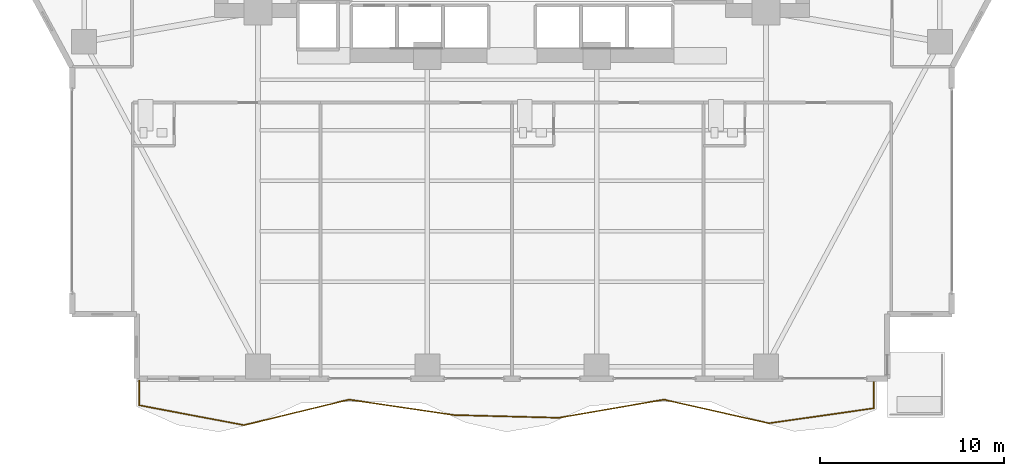
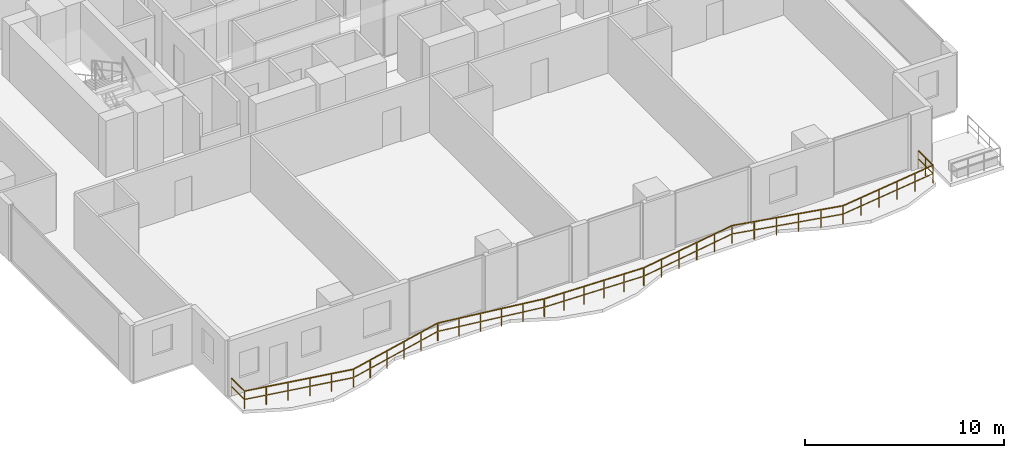
# One storey, part 26 of 30: 1 railing.
"""IFC4 building model written with IfcOpenShell, lengths in metres."""

from ifc_helpers import new_model, si_unit, direction, frame, origin, origin_2d, place, context, subcontext, project, spatial, rectangle, extrude, material, type_object, element, save


model = new_model("IFC4")

# Units and contexts
model_context = context("Model", 3, precision=1e-05, world=origin(), true_north=direction((0.0, 1.0)))
body_context = subcontext(model_context, "Body", "Model", "MODEL_VIEW")
ifc_project = project(units=[si_unit("LENGTHUNIT", "METRE"), si_unit("AREAUNIT", "SQUARE_METRE"), si_unit("VOLUMEUNIT", "CUBIC_METRE"), si_unit("PLANEANGLEUNIT", "RADIAN"), si_unit("MASSUNIT", "GRAM", prefix="KILO")], contexts=[model_context])

# Site, building, storey
site_placement = place(None, origin())
site = spatial("IfcSite", under=ifc_project, at=site_placement, CompositionType="ELEMENT")
building_placement = place(site_placement, origin())
building = spatial("IfcBuilding", under=site, at=building_placement, Name="Zuhayl Quay Hotel", CompositionType="ELEMENT")
storey_placement = place(building_placement, frame((0.0, 0.0, 128.5)))
storey = spatial("IfcBuildingStorey", under=building, at=storey_placement, Name="L32", CompositionType="ELEMENT", Elevation=128.5)

# Railing
ifc_material = material(Name="Anodised Aluminium and Laminated Glass", Category="aluminium")
railing_type = type_object("IfcRailingType", Name="RL_EXT_BAL_1100", PredefinedType="BALUSTRADE", material=ifc_material)
railing_placement = place(storey_placement, frame((-20.260009765625, -15.52001953125, 0.0)))
element("IfcRailing", 1, at=railing_placement, inside=storey, type_object=railing_type, Name="L32 Balcony and Terrace Guard GR_L32_BAL_S", PredefinedType="BALUSTRADE", context=body_context, shape_type="SweptSolid", body=[
    extrude(rectangle(XDim=0.048095703125, YDim=0.048095703125, at=origin_2d()), frame((0.0, 0.0, 1.09619140625), z_axis=(0.0, -1.0, 0.0), x_axis=(1.0, 0.0, 0.0)), (0.0, 0.0, 1.0), 1.327880859375),
    extrude(rectangle(XDim=0.0361328125, YDim=0.0361328125, at=origin_2d()), frame((0.0, 0.0, 0.58251953125), z_axis=(0.0, -1.0, 0.0), x_axis=(1.0, 0.0, 0.0)), (0.0, 0.0, 1.0), 1.327880859375),
    extrude(rectangle(XDim=0.048095703125, YDim=0.048095703125, at=origin_2d()), frame((0.0, -1.327880859375, 1.09619140625), z_axis=(0.982533889583, -0.186083733358, 0.0), x_axis=(0.186083733358, 0.982533889583, 0.0)), (0.0, 0.0, 1.0), 5.80419921875),
    extrude(rectangle(XDim=0.0361328125, YDim=0.0361328125, at=origin_2d()), frame((0.0, -1.327880859375, 0.58251953125), z_axis=(0.982533889583, -0.186083733358, 0.0), x_axis=(0.186083733358, 0.982533889583, 0.0)), (0.0, 0.0, 1.0), 5.80419921875),
    extrude(rectangle(XDim=0.048095703125, YDim=0.048095703125, at=origin_2d()), frame((5.702880859375, -2.407958984375, 1.09619140625), z_axis=(0.971638162957, 0.236472578296, 0.0), x_axis=(-0.236472578296, 0.971638162957, 0.0)), (0.0, 0.0, 1.0), 5.869384765625),
    extrude(rectangle(XDim=0.0361328125, YDim=0.0361328125, at=origin_2d()), frame((5.702880859375, -2.407958984375, 0.58251953125), z_axis=(0.971638162957, 0.236472578296, 0.0), x_axis=(-0.236472578296, 0.971638162957, 0.0)), (0.0, 0.0, 1.0), 5.869384765625),
    extrude(rectangle(XDim=0.048095703125, YDim=0.048095703125, at=origin_2d()), frame((11.40576171875, -1.02001953125, 1.09619140625), z_axis=(0.98932342295, -0.145736628211, 0.0), x_axis=(0.145736628211, 0.98932342295, 0.0)), (0.0, 0.0, 1.0), 5.764404296875),
    extrude(rectangle(XDim=0.0361328125, YDim=0.0361328125, at=origin_2d()), frame((11.40576171875, -1.02001953125, 0.58251953125), z_axis=(0.98932342295, -0.145736628211, 0.0), x_axis=(0.145736628211, 0.98932342295, 0.0)), (0.0, 0.0, 1.0), 5.764404296875),
    extrude(rectangle(XDim=0.048095703125, YDim=0.048095703125, at=origin_2d()), frame((17.108642578125, -1.860107421875, 1.09619140625), z_axis=(0.99966697323, -0.025805864329, 0.0), x_axis=(0.025805864329, 0.99966697323, 0.0)), (0.0, 0.0, 1.0), 5.704833984375),
    extrude(rectangle(XDim=0.0361328125, YDim=0.0361328125, at=origin_2d()), frame((17.108642578125, -1.860107421875, 0.58251953125), z_axis=(0.99966697323, -0.025805864329, 0.0), x_axis=(0.025805864329, 0.99966697323, 0.0)), (0.0, 0.0, 1.0), 5.704833984375),
    extrude(rectangle(XDim=0.048095703125, YDim=0.048095703125, at=origin_2d()), frame((22.8115234375, -2.00732421875, 1.09619140625), z_axis=(0.985342734757, 0.170586327298, 0.0), x_axis=(-0.170586327298, 0.985342734757, 0.0)), (0.0, 0.0, 1.0), 5.78759765625),
    extrude(rectangle(XDim=0.0361328125, YDim=0.0361328125, at=origin_2d()), frame((22.8115234375, -2.00732421875, 0.58251953125), z_axis=(0.985342734757, 0.170586327298, 0.0), x_axis=(-0.170586327298, 0.985342734757, 0.0)), (0.0, 0.0, 1.0), 5.78759765625),
    extrude(rectangle(XDim=0.048095703125, YDim=0.048095703125, at=origin_2d()), frame((28.514404296875, -1.02001953125, 1.09619140625), z_axis=(0.975552031242, -0.219768592705, 0.0), x_axis=(0.219768592705, 0.975552031242, 0.0)), (0.0, 0.0, 1.0), 5.845458984375),
    extrude(rectangle(XDim=0.0361328125, YDim=0.0361328125, at=origin_2d()), frame((28.514404296875, -1.02001953125, 0.58251953125), z_axis=(0.975552031242, -0.219768592705, 0.0), x_axis=(0.219768592705, 0.975552031242, 0.0)), (0.0, 0.0, 1.0), 5.845458984375),
    extrude(rectangle(XDim=0.048095703125, YDim=0.048095703125, at=origin_2d()), frame((34.217041015625, -2.3046875, 1.09619140625), z_axis=(0.98997913862, 0.14121368594, 0.0), x_axis=(-0.14121368594, 0.98997913862, 0.0)), (0.0, 0.0, 1.0), 5.760498046875),
    extrude(rectangle(XDim=0.0361328125, YDim=0.0361328125, at=origin_2d()), frame((34.217041015625, -2.3046875, 0.58251953125), z_axis=(0.98997913862, 0.14121368594, 0.0), x_axis=(-0.14121368594, 0.98997913862, 0.0)), (0.0, 0.0, 1.0), 5.760498046875),
    extrude(rectangle(XDim=0.048095703125, YDim=0.048095703125, at=origin_2d()), frame((39.919921875, -1.4912109375, 1.09619140625), z_axis=(0.0, 1.0, 0.0), x_axis=(-1.0, 0.0, 0.0)), (0.0, 0.0, 1.0), 1.4912109375),
    extrude(rectangle(XDim=0.0361328125, YDim=0.0361328125, at=origin_2d()), frame((39.919921875, -1.4912109375, 0.58251953125), z_axis=(0.0, 1.0, 0.0), x_axis=(-1.0, 0.0, 0.0)), (0.0, 0.0, 1.0), 1.4912109375),
    extrude(rectangle(XDim=0.0419921875, YDim=0.0419921875, at=origin_2d()), origin(), (0.0, 0.0, 1.0), 1.072021484375),
    extrude(rectangle(XDim=0.0419921875, YDim=0.0419921875, at=origin_2d()), frame((0.0, -1.327880859375, 0.0)), (0.0, 0.0, 1.0), 1.072021484375),
    extrude(rectangle(XDim=0.0419921875, YDim=0.0419921875, at=origin_2d()), frame((1.140625, -1.5439453125, 0.0)), (0.0, 0.0, 1.0), 1.072021484375),
    extrude(rectangle(XDim=0.0419921875, YDim=0.0419921875, at=origin_2d()), frame((2.28125, -1.760009765625, 0.0)), (0.0, 0.0, 1.0), 1.072021484375),
    extrude(rectangle(XDim=0.0419921875, YDim=0.0419921875, at=origin_2d()), frame((3.421630859375, -1.975830078125, 0.0)), (0.0, 0.0, 1.0), 1.072021484375),
    extrude(rectangle(XDim=0.0419921875, YDim=0.0419921875, at=origin_2d()), frame((4.562255859375, -2.19189453125, 0.0)), (0.0, 0.0, 1.0), 1.072021484375),
    extrude(rectangle(XDim=0.0419921875, YDim=0.0419921875, at=origin_2d()), frame((5.702880859375, -2.407958984375, 0.0)), (0.0, 0.0, 1.0), 1.072021484375),
    extrude(rectangle(XDim=0.0419921875, YDim=0.0419921875, at=origin_2d()), frame((6.843505859375, -2.13037109375, 0.0)), (0.0, 0.0, 1.0), 1.072021484375),
    extrude(rectangle(XDim=0.0419921875, YDim=0.0419921875, at=origin_2d()), frame((7.984130859375, -1.852783203125, 0.0)), (0.0, 0.0, 1.0), 1.072021484375),
    extrude(rectangle(XDim=0.0419921875, YDim=0.0419921875, at=origin_2d()), frame((9.12451171875, -1.5751953125, 0.0)), (0.0, 0.0, 1.0), 1.072021484375),
    extrude(rectangle(XDim=0.0419921875, YDim=0.0419921875, at=origin_2d()), frame((10.26513671875, -1.297607421875, 0.0)), (0.0, 0.0, 1.0), 1.072021484375),
    extrude(rectangle(XDim=0.0419921875, YDim=0.0419921875, at=origin_2d()), frame((11.40576171875, -1.02001953125, 0.0)), (0.0, 0.0, 1.0), 1.072021484375),
    extrude(rectangle(XDim=0.0419921875, YDim=0.0419921875, at=origin_2d()), frame((12.54638671875, -1.18798828125, 0.0)), (0.0, 0.0, 1.0), 1.072021484375),
    extrude(rectangle(XDim=0.0419921875, YDim=0.0419921875, at=origin_2d()), frame((13.68701171875, -1.35595703125, 0.0)), (0.0, 0.0, 1.0), 1.072021484375),
    extrude(rectangle(XDim=0.0419921875, YDim=0.0419921875, at=origin_2d()), frame((14.827392578125, -1.524169921875, 0.0)), (0.0, 0.0, 1.0), 1.072021484375),
    extrude(rectangle(XDim=0.0419921875, YDim=0.0419921875, at=origin_2d()), frame((15.968017578125, -1.692138671875, 0.0)), (0.0, 0.0, 1.0), 1.072021484375),
    extrude(rectangle(XDim=0.0419921875, YDim=0.0419921875, at=origin_2d()), frame((17.108642578125, -1.860107421875, 0.0)), (0.0, 0.0, 1.0), 1.072021484375),
    extrude(rectangle(XDim=0.0419921875, YDim=0.0419921875, at=origin_2d()), frame((18.249267578125, -1.8896484375, 0.0)), (0.0, 0.0, 1.0), 1.072021484375),
    extrude(rectangle(XDim=0.0419921875, YDim=0.0419921875, at=origin_2d()), frame((19.389892578125, -1.9189453125, 0.0)), (0.0, 0.0, 1.0), 1.072021484375),
    extrude(rectangle(XDim=0.0419921875, YDim=0.0419921875, at=origin_2d()), frame((20.5302734375, -1.948486328125, 0.0)), (0.0, 0.0, 1.0), 1.072021484375),
    extrude(rectangle(XDim=0.0419921875, YDim=0.0419921875, at=origin_2d()), frame((21.6708984375, -1.977783203125, 0.0)), (0.0, 0.0, 1.0), 1.072021484375),
    extrude(rectangle(XDim=0.0419921875, YDim=0.0419921875, at=origin_2d()), frame((22.8115234375, -2.00732421875, 0.0)), (0.0, 0.0, 1.0), 1.072021484375),
    extrude(rectangle(XDim=0.0419921875, YDim=0.0419921875, at=origin_2d()), frame((23.9521484375, -1.809814453125, 0.0)), (0.0, 0.0, 1.0), 1.072021484375),
    extrude(rectangle(XDim=0.0419921875, YDim=0.0419921875, at=origin_2d()), frame((25.0927734375, -1.6123046875, 0.0)), (0.0, 0.0, 1.0), 1.072021484375),
    extrude(rectangle(XDim=0.0419921875, YDim=0.0419921875, at=origin_2d()), frame((26.233154296875, -1.4150390625, 0.0)), (0.0, 0.0, 1.0), 1.072021484375),
    extrude(rectangle(XDim=0.0419921875, YDim=0.0419921875, at=origin_2d()), frame((27.373779296875, -1.217529296875, 0.0)), (0.0, 0.0, 1.0), 1.072021484375),
    extrude(rectangle(XDim=0.0419921875, YDim=0.0419921875, at=origin_2d()), frame((28.514404296875, -1.02001953125, 0.0)), (0.0, 0.0, 1.0), 1.072021484375),
    extrude(rectangle(XDim=0.0419921875, YDim=0.0419921875, at=origin_2d()), frame((29.655029296875, -1.27685546875, 0.0)), (0.0, 0.0, 1.0), 1.072021484375),
    extrude(rectangle(XDim=0.0419921875, YDim=0.0419921875, at=origin_2d()), frame((30.79541015625, -1.533935546875, 0.0)), (0.0, 0.0, 1.0), 1.072021484375),
    extrude(rectangle(XDim=0.0419921875, YDim=0.0419921875, at=origin_2d()), frame((31.93603515625, -1.790771484375, 0.0)), (0.0, 0.0, 1.0), 1.072021484375),
    extrude(rectangle(XDim=0.0419921875, YDim=0.0419921875, at=origin_2d()), frame((33.076416015625, -2.0478515625, 0.0)), (0.0, 0.0, 1.0), 1.072021484375),
    extrude(rectangle(XDim=0.0419921875, YDim=0.0419921875, at=origin_2d()), frame((34.217041015625, -2.3046875, 0.0)), (0.0, 0.0, 1.0), 1.072021484375),
    extrude(rectangle(XDim=0.0419921875, YDim=0.0419921875, at=origin_2d()), frame((35.357666015625, -2.14208984375, 0.0)), (0.0, 0.0, 1.0), 1.072021484375),
    extrude(rectangle(XDim=0.0419921875, YDim=0.0419921875, at=origin_2d()), frame((36.498291015625, -1.979248046875, 0.0)), (0.0, 0.0, 1.0), 1.072021484375),
    extrude(rectangle(XDim=0.0419921875, YDim=0.0419921875, at=origin_2d()), frame((37.638671875, -1.816650390625, 0.0)), (0.0, 0.0, 1.0), 1.072021484375),
    extrude(rectangle(XDim=0.0419921875, YDim=0.0419921875, at=origin_2d()), frame((38.779296875, -1.65380859375, 0.0)), (0.0, 0.0, 1.0), 1.072021484375),
    extrude(rectangle(XDim=0.0419921875, YDim=0.0419921875, at=origin_2d()), frame((39.919921875, -1.4912109375, 0.0)), (0.0, 0.0, 1.0), 1.072021484375),
    extrude(rectangle(XDim=0.0419921875, YDim=0.0419921875, at=origin_2d()), frame((39.919921875, -0.74560546875, 0.0)), (0.0, 0.0, 1.0), 1.072021484375),
    extrude(rectangle(XDim=0.0419921875, YDim=0.0419921875, at=origin_2d()), frame((39.919921875, 0.0, 0.0)), (0.0, 0.0, 1.0), 1.072021484375),
])

save(model, "model.ifc")
